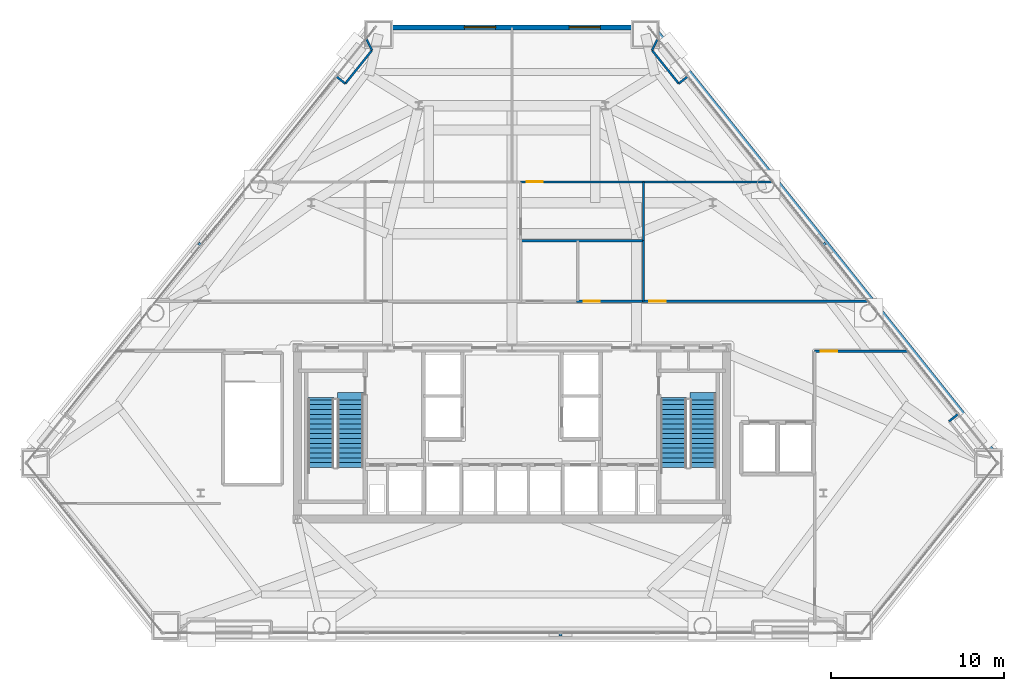
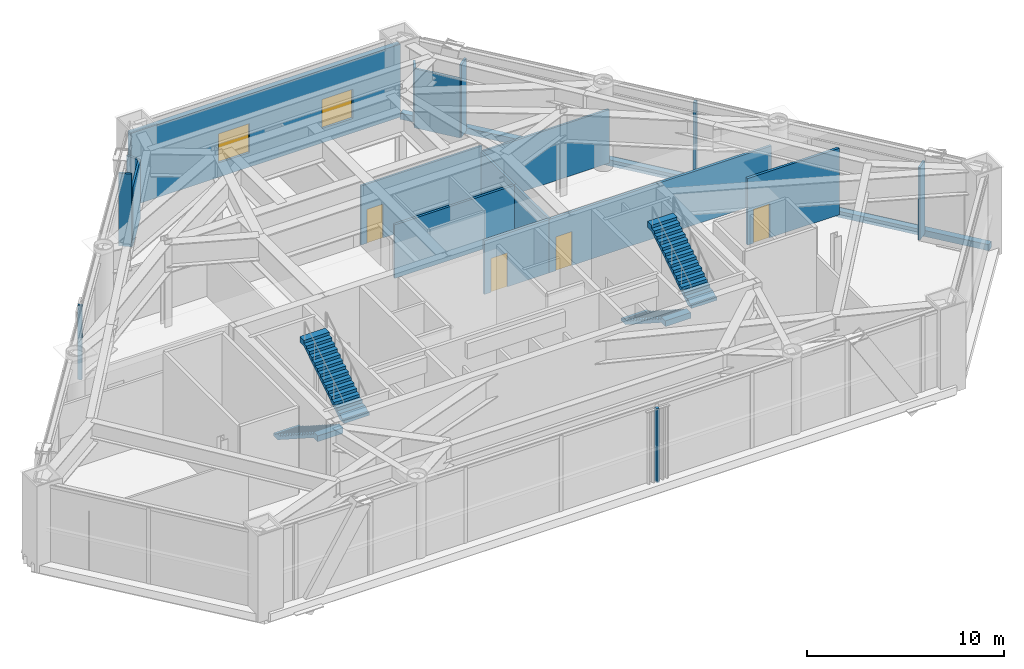
# One storey, part 10 of 13: 17 walls, 4 doors, 4 stair flights, 3 discrete accessories, 2 windows, 6 openings, 2 elements without a shape of their own.
"""IFC4 building model written with IfcOpenShell, lengths in metres."""

from ifc_helpers import new_model, si_unit, direction, frame, frame_2d, origin, origin_2d, place, context, subcontext, project, spatial, polyline, rectangle, outline, extrude, source, transform, mapped, material, layer, layer_set, type_object, type_shapes, element, fill, aggregate, save


model = new_model("IFC4")

# Units and contexts
model_context = context("Model", 3, precision=1e-05, world=origin(), true_north=direction((0.0, 1.0)))
body_context = subcontext(model_context, "Body", "Model", "MODEL_VIEW")
ifc_project = project(units=[si_unit("LENGTHUNIT", "METRE"), si_unit("AREAUNIT", "SQUARE_METRE"), si_unit("VOLUMEUNIT", "CUBIC_METRE"), si_unit("PLANEANGLEUNIT", "RADIAN"), si_unit("MASSUNIT", "GRAM", prefix="KILO")], contexts=[model_context])

# Site, building, storey
site_placement = place(None, origin())
site = spatial("IfcSite", under=ifc_project, at=site_placement, CompositionType="ELEMENT")
building_placement = place(site_placement, origin())
building = spatial("IfcBuilding", under=site, at=building_placement, Name="Talgorran Terracotta Tower", CompositionType="ELEMENT")
storey_placement = place(building_placement, frame((0.0, 0.0, 18.89990234375)))
storey = spatial("IfcBuildingStorey", under=building, at=storey_placement, Name="L04", CompositionType="ELEMENT", Elevation=18.89990234375)

# Wall, opening, door
ifc_material_1 = material(Name="Fire-Rated Steel Stud Plasterboard", Category="steel")
ifc_layer_1 = layer(ifc_material_1, 0.14990234375, Name="WT_FIRE_150")
ifc_layer_set_1 = layer_set([ifc_layer_1], Name="Fire-Rated Steel Stud Plasterboard")
wall_type_1 = type_object("IfcWallType", Name="WT_FIRE_150", PredefinedType="PARTITIONING", material=ifc_layer_set_1)
wall_1_placement = place(storey_placement, frame((7.5400390625, -1.5, 0.0), z_axis=(0.0, 0.0, 1.0), x_axis=(1.0, 0.0, 0.0)))
wall_1 = element("IfcWall", 1, at=wall_1_placement, inside=storey, type_object=wall_type_1, Name="WL-L04-W-L04-R08", PredefinedType="PARTITIONING", context=body_context, shape_type="SweptSolid", body=[
    extrude(rectangle(XDim=13.049072265625, YDim=0.14990234375, at=frame_2d((6.5244140625, 0.0))), origin(), (0.0, 0.0, 1.0), 3.3251953125),
])
opening_1_placement = place(wall_1_placement, frame((0.39990234375, 0.0, 0.0)))
opening_1 = element("IfcOpeningElement", 2, at=opening_1_placement, cuts=wall_1, Name="Opening DR-L04-R09", PredefinedType="OPENING", context=body_context, shape_type="SweptSolid", body=[
    extrude(rectangle(XDim=0.955951171875, YDim=2.10409765625, at=frame_2d((0.47509765625, 1.052001953125))), frame((0.0, 0.0849609375, 0.0), z_axis=(0.0, -1.0, 0.0), x_axis=(1.0, 0.0, 0.0)), (0.0, 0.0, 1.0), 0.169921875),
])
ifc_material_2 = material(Name="Fire-Rated Timber Core", Category="wood")
door_type_1 = type_object("IfcDoorType", Name="DT_FIRE_950", OperationType="NOTDEFINED", PredefinedType="DOOR", material=ifc_material_2)
door_1_placement = place(opening_1_placement, origin())
door_1 = element("IfcDoor", 3, at=door_1_placement, inside=storey, type_object=door_type_1, Name="DR-L04-R09", OperationType="SINGLE_SWING_LEFT", OverallHeight=2.10009765625, OverallWidth=0.949951171875, PredefinedType="DOOR", context=body_context, shape_type="SweptSolid", body=[
    extrude(rectangle(XDim=0.949951171875, YDim=2.10009765625, at=frame_2d((0.47509765625, 1.050048828125))), frame((0.0, 0.02490234375, 0.0), z_axis=(0.0, -1.0, 0.0), x_axis=(1.0, 0.0, 0.0)), (0.0, 0.0, 1.0), 0.050048828125),
])
fill(opening_1, door_1)

wall_2_placement = place(storey_placement, frame((17.5, -4.39990234375, 0.0), z_axis=(0.0, 0.0, 1.0), x_axis=(1.0, 0.0, 0.0)))
wall_2 = element("IfcWall", 4, at=wall_2_placement, inside=storey, type_object=wall_type_1, Name="WL-L04-W-L04-R03", PredefinedType="PARTITIONING", context=body_context, shape_type="SweptSolid", body=[
    extrude(rectangle(XDim=5.411865234375, YDim=0.14990234375, at=frame_2d((2.7060546875, 0.0))), origin(), (0.0, 0.0, 1.0), 4.125),
])
opening_2_placement = place(wall_2_placement, frame((0.35791015625, 0.0, 0.0)))
opening_2 = element("IfcOpeningElement", 5, at=opening_2_placement, cuts=wall_2, Name="Opening DR-L04-R02", PredefinedType="OPENING", context=body_context, shape_type="SweptSolid", body=[
    extrude(rectangle(XDim=0.955951171875, YDim=2.10409765625, at=frame_2d((0.47509765625, 1.052001953125))), frame((0.0, 0.0849609375, 0.0), z_axis=(0.0, -1.0, 0.0), x_axis=(1.0, 0.0, 0.0)), (0.0, 0.0, 1.0), 0.169921875),
])
door_2_placement = place(opening_2_placement, origin())
door_2 = element("IfcDoor", 6, at=door_2_placement, inside=storey, type_object=door_type_1, Name="DR-L04-R02", OperationType="SINGLE_SWING_RIGHT", OverallHeight=2.10009765625, OverallWidth=0.949951171875, PredefinedType="DOOR", context=body_context, shape_type="SweptSolid", body=[
    extrude(rectangle(XDim=0.949951171875, YDim=2.10009765625, at=frame_2d((0.47509765625, 1.050048828125))), frame((0.0, 0.02490234375, 0.0), z_axis=(0.0, -1.0, 0.0), x_axis=(1.0, 0.0, 0.0)), (0.0, 0.0, 1.0), 0.050048828125),
])
fill(opening_2, door_2)

wall_3_placement = place(storey_placement, frame((3.739990234375, -1.5, 0.0), z_axis=(0.0, 0.0, 1.0), x_axis=(1.0, 0.0, 0.0)))
wall_3 = element("IfcWall", 7, at=wall_3_placement, inside=storey, type_object=wall_type_1, Name="WL-L04-W-L04-R07", PredefinedType="PARTITIONING", context=body_context, shape_type="SweptSolid", body=[
    extrude(rectangle(XDim=3.798095703125, YDim=0.14990234375, at=frame_2d((1.89892578125, 0.0))), origin(), (0.0, 0.0, 1.0), 3.3251953125),
])
opening_3_placement = place(wall_3_placement, frame((0.39697265625, 0.0, 0.0)))
opening_3 = element("IfcOpeningElement", 8, at=opening_3_placement, cuts=wall_3, Name="Opening DR-L04-R07", PredefinedType="OPENING", context=body_context, shape_type="SweptSolid", body=[
    extrude(rectangle(XDim=0.955951171875, YDim=2.10409765625, at=frame_2d((0.47509765625, 1.052001953125))), frame((0.0, 0.0849609375, 0.0), z_axis=(0.0, -1.0, 0.0), x_axis=(1.0, 0.0, 0.0)), (0.0, 0.0, 1.0), 0.169921875),
])
door_3_placement = place(opening_3_placement, origin())
door_3 = element("IfcDoor", 9, at=door_3_placement, inside=storey, type_object=door_type_1, Name="DR-L04-R07", OperationType="SINGLE_SWING_LEFT", OverallHeight=2.10009765625, OverallWidth=0.949951171875, PredefinedType="DOOR", context=body_context, shape_type="SweptSolid", body=[
    extrude(rectangle(XDim=0.949951171875, YDim=2.10009765625, at=frame_2d((0.47509765625, 1.050048828125))), frame((0.0, 0.02490234375, 0.0), z_axis=(0.0, -1.0, 0.0), x_axis=(1.0, 0.0, 0.0)), (0.0, 0.0, 1.0), 0.050048828125),
])
fill(opening_3, door_3)

# Walls
ifc_material_3 = material(Name="Concrete C40/50", Category="concrete")
ifc_layer_2 = layer(ifc_material_3, 0.219970703125, Name="WT_PARAPET_RC")
ifc_layer_set_2 = layer_set([ifc_layer_2], Name="Concrete C40/50")
wall_type_2 = type_object("IfcWallType", Name="WT_PARAPET_RC", PredefinedType="PARAPET", material=ifc_layer_set_2)
wall_4_placement = place(storey_placement, frame((28.1572265625, -10.693603515625, -0.199951171875), z_axis=(0.0, 0.0, 1.0), x_axis=(-0.625116772483, 0.780531242655, 0.0)))
element("IfcWall", 10, at=wall_4_placement, inside=storey, type_object=wall_type_2, Name="L04 Striped Portal Precast Cornice F3", PredefinedType="PARAPET", context=body_context, shape_type="SweptSolid", body=[
    extrude(rectangle(XDim=32.115478515625, YDim=0.360107421875, at=frame_2d((16.0576171875, 0.0))), origin(), (0.0, 0.0, 1.0), 0.380126953125),
])
ifc_material_4 = material(Name="Insulated Steel Stud Plasterboard", Category="steel")
ifc_layer_3 = layer(ifc_material_4, 0.1201171875, Name="WT_PART_120")
ifc_layer_set_3 = layer_set([ifc_layer_3], Name="Insulated Steel Stud Plasterboard")
wall_type_3 = type_object("IfcWallType", Name="WT_PART_120", PredefinedType="PARTITIONING", material=ifc_layer_set_3)
wall_5_placement = place(storey_placement, frame((7.60009765625, 5.39990234375, 0.0), z_axis=(0.0, 0.0, 1.0), x_axis=(1.0, 0.0, 0.0)))
element("IfcWall", 11, at=wall_5_placement, inside=storey, type_object=wall_type_3, Name="WL-L04-W-L04-R23", PredefinedType="PARTITIONING", context=body_context, shape_type="SweptSolid", body=[
    extrude(rectangle(XDim=7.462890625, YDim=0.1201171875, at=frame_2d((3.7314453125, 0.0))), origin(), (0.0, 0.0, 1.0), 3.3251953125),
])

# Wall, opening, door
wall_6_placement = place(storey_placement, frame((0.5, 5.39990234375, 0.0), z_axis=(0.0, 0.0, 1.0), x_axis=(1.0, 0.0, 0.0)))
wall_6 = element("IfcWall", 12, at=wall_6_placement, inside=storey, type_object=wall_type_3, Name="WL-L04-W-L04-R22", PredefinedType="PARTITIONING", context=body_context, shape_type="SweptSolid", body=[
    extrude(rectangle(XDim=7.10009765625, YDim=0.1201171875, at=frame_2d((3.550048828125, 0.0))), origin(), (0.0, 0.0, 1.0), 3.675048828125),
])
opening_4_placement = place(wall_6_placement, frame((0.359130859375, 0.0, 0.0)))
opening_4 = element("IfcOpeningElement", 13, at=opening_4_placement, cuts=wall_6, Name="Opening DR-L04-R11", PredefinedType="OPENING", context=body_context, shape_type="SweptSolid", body=[
    extrude(rectangle(XDim=0.925921875, YDim=2.10409765625, at=frame_2d((0.4599609375, 1.052001953125))), frame((0.0, 0.070068359375, 0.0), z_axis=(0.0, -1.0, 0.0), x_axis=(1.0, 0.0, 0.0)), (0.0, 0.0, 1.0), 0.14013671875),
])
ifc_material_5 = material(Name="Solid-Core Painted Timber", Category="wood")
door_type_2 = type_object("IfcDoorType", Name="DT_INT_920", OperationType="NOTDEFINED", PredefinedType="DOOR", material=ifc_material_5)
door_4_placement = place(opening_4_placement, origin())
door_4 = element("IfcDoor", 14, at=door_4_placement, inside=storey, type_object=door_type_2, Name="DR-L04-R11", OperationType="SINGLE_SWING_LEFT", OverallHeight=2.10009765625, OverallWidth=0.919921875, PredefinedType="DOOR", context=body_context, shape_type="SweptSolid", body=[
    extrude(rectangle(XDim=0.919921875, YDim=2.10009765625, at=frame_2d((0.4599609375, 1.050048828125))), frame((0.0, 0.02490234375, 0.0), z_axis=(0.0, -1.0, 0.0), x_axis=(1.0, 0.0, 0.0)), (0.0, 0.0, 1.0), 0.050048828125),
])
fill(opening_4, door_4)

# Walls
wall_7_placement = place(storey_placement, frame((7.60009765625, 2.0, 0.0), z_axis=(0.0, 0.0, 1.0), x_axis=(0.0, 1.0, 0.0)))
element("IfcWall", 15, at=wall_7_placement, inside=storey, type_object=wall_type_3, Name="WL-L04-W-L04-R21", PredefinedType="PARTITIONING", context=body_context, shape_type="SweptSolid", body=[
    extrude(rectangle(XDim=3.39990234375, YDim=0.1201171875, at=frame_2d((1.699951171875, 0.0))), origin(), (0.0, 0.0, 1.0), 3.3251953125),
])
for number, where, z_axis, x_axis, name in (
    (16, (-8.095458984375, 13.01220703125, 0.0), (0.0, 0.0, 1.0), (-0.625104423976, -0.780541132244, 0.0), "WL-L04-BW-L04-14"),
    (17, (9.640869140625, 11.08251953125, 0.0), (0.0, 0.0, 1.0), (-0.625104423976, 0.780541132244, 0.0), "WL-L04-BW-L04-17"),
):
    element("IfcWall", number, at=place(storey_placement, frame(where, z_axis=z_axis, x_axis=x_axis)), inside=storey, type_object=wall_type_3, Name=name, PredefinedType="PARTITIONING", context=body_context, shape_type="SweptSolid", body=[
        extrude(rectangle(XDim=2.47216796875, YDim=0.1201171875, at=frame_2d((1.236083984375, 0.0))), origin(), (0.0, 0.0, 1.0), 3.675048828125),
    ])
for number, where, z_axis, x_axis, name in (
    (18, (-8.42431640625, 13.67333984375, 0.0), (0.0, 0.0, 1.0), (0.445361098942, -0.895351043753, 0.0), "WL-L04-BW-L04-13"),
    (19, (8.095458984375, 13.01220703125, 0.0), (0.0, 0.0, 1.0), (0.445361098942, 0.895351043753, 0.0), "WL-L04-BW-L04-18"),
):
    element("IfcWall", number, at=place(storey_placement, frame(where, z_axis=z_axis, x_axis=x_axis)), inside=storey, type_object=wall_type_3, Name=name, PredefinedType="PARTITIONING", context=body_context, shape_type="SweptSolid", body=[
        extrude(rectangle(XDim=0.738525390625, YDim=0.1201171875, at=frame_2d((0.369140625, 0.0))), origin(), (0.0, 0.0, 1.0), 3.675048828125),
    ])
for number, where, z_axis, x_axis, name in (
    (20, (-9.640869140625, 11.08251953125, 0.0), (0.0, 0.0, 1.0), (-0.780619865001, 0.625006101063, 0.0), "WL-L04-BW-L04-15"),
    (21, (10.163818359375, 11.501220703125, 0.0), (0.0, 0.0, 1.0), (-0.780619865001, -0.625006101063, 0.0), "WL-L04-BW-L04-16"),
):
    element("IfcWall", number, at=place(storey_placement, frame(where, z_axis=z_axis, x_axis=x_axis)), inside=storey, type_object=wall_type_3, Name=name, PredefinedType="PARTITIONING", context=body_context, shape_type="SweptSolid", body=[
        extrude(rectangle(XDim=0.669921875, YDim=0.1201171875, at=frame_2d((0.3349609375, 0.0))), origin(), (0.0, 0.0, 1.0), 4.513427734375),
    ])
wall_8_placement = place(storey_placement, frame((25.2783203125, -8.4423828125, 0.0), z_axis=(0.0, 0.0, 1.0), x_axis=(0.780477444014, 0.625183940441, 0.0)))
element("IfcWall", 22, at=wall_8_placement, inside=storey, type_object=wall_type_3, Name="WL-L04-BW-L04-10", PredefinedType="PARTITIONING", context=body_context, shape_type="SweptSolid", body=[
    extrude(rectangle(XDim=0.669677734375, YDim=0.1201171875, at=frame_2d((0.3349609375, 0.0))), origin(), (0.0, 0.0, 1.0), 4.513427734375),
])
ifc_material_6 = material(Name="Moisture-Resistant Stud Wall")
ifc_layer_4 = layer(ifc_material_6, 0.135009765625, Name="WT_PART_135")
ifc_layer_set_4 = layer_set([ifc_layer_4], Name="Moisture-Resistant Stud Wall")
wall_type_4 = type_object("IfcWallType", Name="WT_PART_135", PredefinedType="PARTITIONING", material=ifc_layer_set_4)
wall_9_placement = place(storey_placement, frame((0.5, 2.0, 0.0), z_axis=(0.0, 0.0, 1.0), x_axis=(1.0, 0.0, 0.0)))
element("IfcWall", 23, at=wall_9_placement, inside=storey, type_object=wall_type_4, Name="WL-L04-W-L04-R19", PredefinedType="PARTITIONING", context=body_context, shape_type="SweptSolid", body=[
    extrude(rectangle(XDim=7.10009765625, YDim=0.135009765625, at=frame_2d((3.550048828125, 0.0))), origin(), (0.0, 0.0, 1.0), 3.3251953125),
])
wall_10_placement = place(storey_placement, frame((7.60009765625, -1.5, 0.0), z_axis=(0.0, 0.0, 1.0), x_axis=(0.0, 1.0, 0.0)))
element("IfcWall", 24, at=wall_10_placement, inside=storey, type_object=wall_type_4, Name="WL-L04-W-L04-R20", PredefinedType="PARTITIONING", context=body_context, shape_type="SweptSolid", body=[
    extrude(rectangle(XDim=3.5, YDim=0.135009765625, at=frame_2d((1.75, 0.0))), origin(), (0.0, 0.0, 1.0), 3.3251953125),
])

# Wall, openings, windows
ifc_layer_5 = layer(ifc_material_3, 0.300048828125, Name="WT_PORTAL_PRECAST")
ifc_layer_set_5 = layer_set([ifc_layer_5], Name="Concrete C40/50")
wall_type_5 = type_object("IfcWallType", Name="WT_PORTAL_PRECAST", PredefinedType="SOLIDWALL", material=ifc_layer_set_5)
wall_11_placement = place(storey_placement, frame((7.906494140625, 14.3359375, -0.014892578125), z_axis=(0.0, 0.0, 1.0), x_axis=(-1.0, 0.0, 0.0)))
wall_11 = element("IfcWall", 25, at=wall_11_placement, inside=storey, type_object=wall_type_5, Name="WL-L04-PODS", PredefinedType="SOLIDWALL", context=body_context, shape_type="SweptSolid", body=[
    extrude(rectangle(XDim=15.81298828125, YDim=0.300048828125, at=frame_2d((7.906494140625, 0.0))), origin(), (0.0, 0.0, 1.0), 4.5283203125),
])
opening_5_placement = place(wall_11_placement, frame((2.794677734375, 0.0, 0.89990234375)))
opening_5 = element("IfcOpeningElement", 26, at=opening_5_placement, cuts=wall_11, Name="Opening WN-L04-1", PredefinedType="OPENING", context=body_context, shape_type="SweptSolid", body=[
    extrude(rectangle(XDim=1.806048828125, YDim=1.804048828125, at=frame_2d((0.89990234375, 0.902099609375))), frame((0.0, 0.16015625, 0.0), z_axis=(0.0, -1.0, 0.0), x_axis=(1.0, 0.0, 0.0)), (0.0, 0.0, 1.0), 0.320068359375),
])
opening_6_placement = place(wall_11_placement, frame((8.855224609375, 0.0, 0.89990234375)))
opening_6 = element("IfcOpeningElement", 27, at=opening_6_placement, cuts=wall_11, Name="Opening WN-L04-2", PredefinedType="OPENING", context=body_context, shape_type="SweptSolid", body=[
    extrude(rectangle(XDim=1.806048828125, YDim=1.804048828125, at=frame_2d((0.89990234375, 0.902099609375))), frame((0.0, 0.16015625, 0.0), z_axis=(0.0, -1.0, 0.0), x_axis=(1.0, 0.0, 0.0)), (0.0, 0.0, 1.0), 0.320068359375),
])
ifc_material_7 = material(Name="Thermally Broken Aluminium and Low-E Glass", Category="aluminium")
window_type = type_object("IfcWindowType", Name="WNT_CLINIC_1800", PartitioningType="SINGLE_PANEL", PredefinedType="WINDOW", material=ifc_material_7)
window_1_placement = place(opening_5_placement, origin())
window_1 = element("IfcWindow", 28, at=window_1_placement, inside=storey, type_object=window_type, Name="WN-L04-PODS-1", OverallHeight=1.800048828125, OverallWidth=1.800048828125, PartitioningType="SINGLE_PANEL", PredefinedType="WINDOW", context=body_context, shape_type="SweptSolid", body=[
    extrude(rectangle(XDim=1.800048828125, YDim=1.800048828125, at=frame_2d((0.89990234375, 0.89990234375))), frame((0.0, 0.030029296875, 0.0), z_axis=(0.0, -1.0, 0.0), x_axis=(1.0, 0.0, 0.0)), (0.0, 0.0, 1.0), 0.06005859375),
])
fill(opening_5, window_1)
window_2_placement = place(opening_6_placement, origin())
window_2 = element("IfcWindow", 29, at=window_2_placement, inside=storey, type_object=window_type, Name="WN-L04-PODS-2", OverallHeight=1.800048828125, OverallWidth=1.800048828125, PartitioningType="SINGLE_PANEL", PredefinedType="WINDOW", context=body_context, shape_type="SweptSolid", body=[
    extrude(rectangle(XDim=1.800048828125, YDim=1.800048828125, at=frame_2d((0.89990234375, 0.89990234375))), frame((0.0, 0.030029296875, 0.0), z_axis=(0.0, -1.0, 0.0), x_axis=(1.0, 0.0, 0.0)), (0.0, 0.0, 1.0), 0.06005859375),
])
fill(opening_6, window_2)

# Stair, stair flights
stair_type = type_object("IfcStairType", Name="ST_FIRE_SCISSOR", PredefinedType="HALF_TURN_STAIR", material=ifc_material_3)
stair_1_placement = place(storey_placement, origin())
stair_1 = element("IfcStair", 30, at=stair_1_placement, inside=storey, type_object=stair_type, Name="L04 West Protected Fire Stair ST-01", PredefinedType="HALF_TURN_STAIR")
ifc_layer_6 = layer(ifc_material_3, 0.179931640625, Name="STF_RC_1500")
ifc_layer_set_6 = layer_set([ifc_layer_6], Name="Concrete C40/50")
stair_flight_type = type_object("IfcStairFlightType", Name="STF_RC_1500", PredefinedType="STRAIGHT", material=ifc_layer_set_6)
stair_flight_1_placement = place(storey_placement, frame((-11.050048828125, -7.199951171875, 0.0), z_axis=(0.0, 0.0, 1.0), x_axis=(0.0, -1.0, 0.0)))
stair_flight_1 = element("IfcStairFlight", 31, at=stair_flight_1_placement, type_object=stair_flight_type, Name="ST-01 flight 1", NumberOfRisers=15, NumberOfTreads=14, PredefinedType="STRAIGHT", RiserHeight=0.18, TreadLength=0.28, context=body_context, shape_type="SweptSolid", body=[
    extrude(outline(polyline([(-0.139892578125, 0.0), (-0.139892578125, 0.179931640625), (0.0, 0.179931640625), (0.280029296875, 0.360107421875), (0.56005859375, 0.360107421875), (0.56005859375, 0.5400390625), (0.840087890625, 0.5400390625), (0.840087890625, 0.719970703125), (1.1201171875, 0.719970703125), (1.1201171875, 0.89990234375), (1.39990234375, 0.89990234375), (1.39990234375, 1.080078125), (1.679931640625, 1.080078125), (1.679931640625, 1.260009765625), (1.9599609375, 1.260009765625), (1.9599609375, 1.43994140625), (2.239990234375, 1.43994140625), (2.239990234375, 1.6201171875), (2.52001953125, 1.6201171875), (2.52001953125, 1.800048828125), (2.800048828125, 1.800048828125), (2.800048828125, 1.97998046875), (3.080078125, 1.97998046875), (3.080078125, 2.159912109375), (3.360107421875, 2.159912109375), (3.360107421875, 2.340087890625), (3.639892578125, 2.340087890625), (3.639892578125, 2.52001953125), (3.919921875, 2.52001953125), (3.919921875, 2.699951171875), (4.340087890625, 2.699951171875), (4.340087890625, 2.341796875), (3.919921875, 2.341796875), (0.277099609375, 0.0), (-0.139892578125, 0.0)])), frame((0.0, 0.75, 0.0), z_axis=(0.0, -1.0, 0.0), x_axis=(1.0, 0.0, 0.0)), (0.0, 0.0, 1.0), 1.5),
])
stair_flight_2_placement = place(storey_placement, frame((-9.35009765625, -11.1201171875, 2.7001953125), z_axis=(0.0, 0.0, 1.0), x_axis=(0.0, 1.0, 0.0)))
stair_flight_2 = element("IfcStairFlight", 32, at=stair_flight_2_placement, type_object=stair_flight_type, Name="ST-01 flight 2", NumberOfRisers=15, NumberOfTreads=14, PredefinedType="STRAIGHT", RiserHeight=0.18, TreadLength=0.28, context=body_context, shape_type="SweptSolid", body=[
    extrude(outline(polyline([(-0.139892578125, 0.0), (-0.139892578125, 0.179931640625), (0.0, 0.179931640625), (0.280029296875, 0.360107421875), (0.56005859375, 0.360107421875), (0.56005859375, 0.5400390625), (0.840087890625, 0.5400390625), (0.840087890625, 0.719970703125), (1.1201171875, 0.719970703125), (1.1201171875, 0.89990234375), (1.39990234375, 0.89990234375), (1.39990234375, 1.080078125), (1.679931640625, 1.080078125), (1.679931640625, 1.260009765625), (1.9599609375, 1.260009765625), (1.9599609375, 1.43994140625), (2.239990234375, 1.43994140625), (2.239990234375, 1.6201171875), (2.52001953125, 1.6201171875), (2.52001953125, 1.800048828125), (2.800048828125, 1.800048828125), (2.800048828125, 1.97998046875), (3.080078125, 1.97998046875), (3.080078125, 2.159912109375), (3.360107421875, 2.159912109375), (3.360107421875, 2.340087890625), (3.639892578125, 2.340087890625), (3.639892578125, 2.52001953125), (3.919921875, 2.52001953125), (3.919921875, 2.699951171875), (4.340087890625, 2.699951171875), (4.340087890625, 2.341796875), (3.919921875, 2.341796875), (0.277099609375, 0.0), (-0.139892578125, 0.0)])), frame((0.0, 0.75, 0.0), z_axis=(0.0, -1.0, 0.0), x_axis=(1.0, 0.0, 0.0)), (0.0, 0.0, 1.0), 1.5),
])
aggregate(stair_1, [stair_flight_1, stair_flight_2])

stair_2_placement = place(storey_placement, origin())
stair_2 = element("IfcStair", 33, at=stair_2_placement, inside=storey, type_object=stair_type, Name="L04 East Protected Fire Stair ST-02", PredefinedType="HALF_TURN_STAIR")
stair_flight_3_placement = place(storey_placement, frame((9.35009765625, -7.199951171875, 0.0), z_axis=(0.0, 0.0, 1.0), x_axis=(0.0, -1.0, 0.0)))
stair_flight_3 = element("IfcStairFlight", 34, at=stair_flight_3_placement, type_object=stair_flight_type, Name="ST-02 flight 1", NumberOfRisers=15, NumberOfTreads=14, PredefinedType="STRAIGHT", RiserHeight=0.18, TreadLength=0.28, context=body_context, shape_type="SweptSolid", body=[
    extrude(outline(polyline([(-0.139892578125, 0.0), (-0.139892578125, 0.179931640625), (0.0, 0.179931640625), (0.280029296875, 0.360107421875), (0.56005859375, 0.360107421875), (0.56005859375, 0.5400390625), (0.840087890625, 0.5400390625), (0.840087890625, 0.719970703125), (1.1201171875, 0.719970703125), (1.1201171875, 0.89990234375), (1.39990234375, 0.89990234375), (1.39990234375, 1.080078125), (1.679931640625, 1.080078125), (1.679931640625, 1.260009765625), (1.9599609375, 1.260009765625), (1.9599609375, 1.43994140625), (2.239990234375, 1.43994140625), (2.239990234375, 1.6201171875), (2.52001953125, 1.6201171875), (2.52001953125, 1.800048828125), (2.800048828125, 1.800048828125), (2.800048828125, 1.97998046875), (3.080078125, 1.97998046875), (3.080078125, 2.159912109375), (3.360107421875, 2.159912109375), (3.360107421875, 2.340087890625), (3.639892578125, 2.340087890625), (3.639892578125, 2.52001953125), (3.919921875, 2.52001953125), (3.919921875, 2.699951171875), (4.340087890625, 2.699951171875), (4.340087890625, 2.341796875), (3.919921875, 2.341796875), (0.277099609375, 0.0), (-0.139892578125, 0.0)])), frame((0.0, 0.75, 0.0), z_axis=(0.0, -1.0, 0.0), x_axis=(1.0, 0.0, 0.0)), (0.0, 0.0, 1.0), 1.5),
])
stair_flight_4_placement = place(storey_placement, frame((11.050048828125, -11.1201171875, 2.7001953125), z_axis=(0.0, 0.0, 1.0), x_axis=(0.0, 1.0, 0.0)))
stair_flight_4 = element("IfcStairFlight", 35, at=stair_flight_4_placement, type_object=stair_flight_type, Name="ST-02 flight 2", NumberOfRisers=15, NumberOfTreads=14, PredefinedType="STRAIGHT", RiserHeight=0.18, TreadLength=0.28, context=body_context, shape_type="SweptSolid", body=[
    extrude(outline(polyline([(-0.139892578125, 0.0), (-0.139892578125, 0.179931640625), (0.0, 0.179931640625), (0.280029296875, 0.360107421875), (0.56005859375, 0.360107421875), (0.56005859375, 0.5400390625), (0.840087890625, 0.5400390625), (0.840087890625, 0.719970703125), (1.1201171875, 0.719970703125), (1.1201171875, 0.89990234375), (1.39990234375, 0.89990234375), (1.39990234375, 1.080078125), (1.679931640625, 1.080078125), (1.679931640625, 1.260009765625), (1.9599609375, 1.260009765625), (1.9599609375, 1.43994140625), (2.239990234375, 1.43994140625), (2.239990234375, 1.6201171875), (2.52001953125, 1.6201171875), (2.52001953125, 1.800048828125), (2.800048828125, 1.800048828125), (2.800048828125, 1.97998046875), (3.080078125, 1.97998046875), (3.080078125, 2.159912109375), (3.360107421875, 2.159912109375), (3.360107421875, 2.340087890625), (3.639892578125, 2.340087890625), (3.639892578125, 2.52001953125), (3.919921875, 2.52001953125), (3.919921875, 2.699951171875), (4.340087890625, 2.699951171875), (4.340087890625, 2.341796875), (3.919921875, 2.341796875), (0.277099609375, 0.0), (-0.139892578125, 0.0)])), frame((0.0, 0.75, 0.0), z_axis=(0.0, -1.0, 0.0), x_axis=(1.0, 0.0, 0.0)), (0.0, 0.0, 1.0), 1.5),
])
aggregate(stair_2, [stair_flight_3, stair_flight_4])

# Discrete accessories
ifc_material_8 = material(Name="Stainless Steel Grade 316", Category="steel")
ifc_layer_7 = layer(ifc_material_8, 0.080078125, Name="ACC_BAGUETTE_BRKT")
ifc_layer_set_7 = layer_set([ifc_layer_7], Name="Stainless Steel Grade 316")
discrete_accessory_type = type_object("IfcDiscreteAccessoryType", Name="ACC_BAGUETTE_BRKT", PredefinedType="BRACKET", material=ifc_layer_set_7)
shared_shape = source(origin(), body_context, "Body", "SweptSolid", [
    extrude(rectangle(XDim=0.159912109375, YDim=0.219970703125, at=origin_2d()), origin(), (0.0, 0.0, 1.0), 4.60009765625),
])
type_shapes(discrete_accessory_type, [shared_shape])
for number, where, z_axis, x_axis, name in (
    (36, (2.80029296875, -20.75, 0.35009765625), (0.0, 0.0, 1.0), (1.0, 0.0, 0.0), "BRK-L04-F1"),
    (37, (18.044921875, 1.788818359375, 0.35009765625), (0.0, 0.0, 1.0), (-0.625120058901, 0.780528610597, 0.0), "BRK-L04-F3"),
    (38, (-18.044921875, 1.788818359375, 0.35009765625), (0.0, 0.0, 1.0), (-0.625120058901, -0.780528610597, 0.0), "BRK-L04-F5"),
):
    element("IfcDiscreteAccessory", number, at=place(storey_placement, frame(where, z_axis=z_axis, x_axis=x_axis)), inside=storey, type_object=discrete_accessory_type, Name=name, PredefinedType="BRACKET", context=body_context, shape_type="MappedRepresentation", body=[
        mapped(shared_shape, transform((0.0, 0.0, 0.0), scale=1.0)),
    ])

save(model, "model.ifc")
